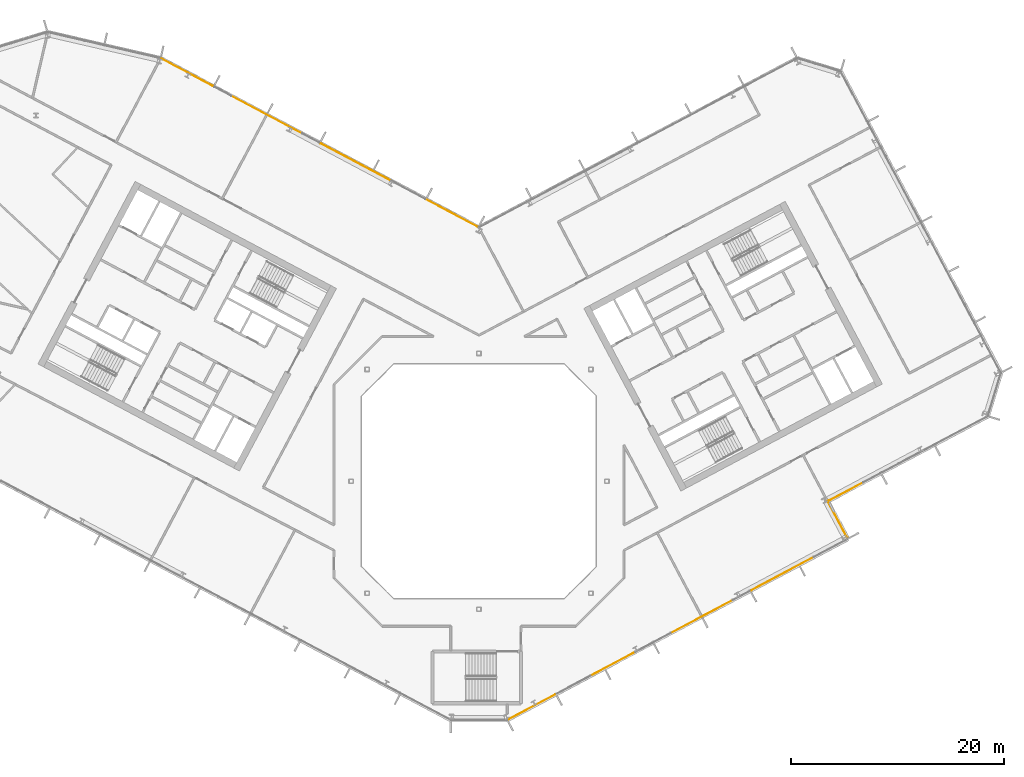
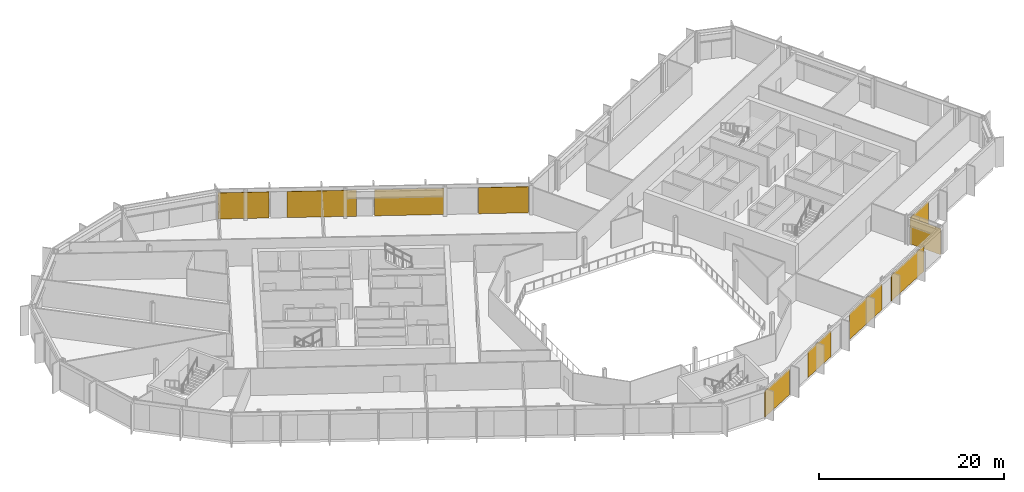
# One storey, part 23 of 26: 10 coverings, 4 elements without a shape of their own.
"""IFC4 building model written with IfcOpenShell, lengths in metres."""

from ifc_helpers import new_model, si_unit, direction, frame, origin, origin_2d, place, context, subcontext, project, spatial, rectangle, extrude, material, layer, layer_set, type_object, element, aggregate, save


model = new_model("IFC4")

# Units and contexts
model_context = context("Model", 3, precision=1e-05, world=origin(), true_north=direction((0.0, 1.0)))
body_context = subcontext(model_context, "Body", "Model", "MODEL_VIEW")
ifc_project = project(units=[si_unit("LENGTHUNIT", "METRE"), si_unit("AREAUNIT", "SQUARE_METRE"), si_unit("VOLUMEUNIT", "CUBIC_METRE"), si_unit("PLANEANGLEUNIT", "RADIAN"), si_unit("MASSUNIT", "GRAM", prefix="KILO")], contexts=[model_context])

# Site, building, storey
site_placement = place(None, origin())
site = spatial("IfcSite", under=ifc_project, at=site_placement, CompositionType="ELEMENT")
building_placement = place(site_placement, origin())
building = spatial("IfcBuilding", under=site, at=building_placement, Name="Cormorant Relay Tower", CompositionType="ELEMENT")
storey_placement = place(building_placement, frame((0.0, 0.0, 220.800048828125)))
storey = spatial("IfcBuildingStorey", under=building, at=storey_placement, Name="L48", CompositionType="ELEMENT", Elevation=220.800048828125)

# Curtain wall, coverings
ifc_material_1 = material(Name="Aluminium 6063-T6 anodised bronze", Category="aluminium")
ifc_layer_1 = layer(ifc_material_1, 0.199951171875)
ifc_layer_set_1 = layer_set([ifc_layer_1], Name="CW1 unitised bronze curtain wall with vertical fins")
curtain_wall_type = type_object("IfcCurtainWallType", Name="CW1 unitised bronze curtain wall with vertical fins", PredefinedType="NOTDEFINED", material=ifc_layer_set_1)
curtain_wall_1_placement = place(storey_placement, origin())
curtain_wall_1 = element("IfcCurtainWall", 1, at=curtain_wall_1_placement, inside=storey, type_object=curtain_wall_type, Name="CW1 curtain wall 2", PredefinedType="NOTDEFINED")
ifc_material_2 = material(Name="Pale bronze anodised aluminium insulated panel", Category="aluminium")
ifc_layer_2 = layer(ifc_material_2, 0.0400390625)
ifc_layer_set_2 = layer_set([ifc_layer_2], Name="CW1 pale bronze insulated panel 40")
covering_type = type_object("IfcCoveringType", Name="CW1 pale bronze insulated panel 40", PredefinedType="CLADDING", material=ifc_layer_set_2)
covering_1_placement = place(storey_placement, frame((4.939208984375, -21.180419921875, 0.0), z_axis=(0.0, 0.0, 1.0), x_axis=(0.882947592859, 0.469471562786, 0.0)))
covering_1 = element("IfcCovering", 2, at=covering_1_placement, type_object=covering_type, Name="CW1 panel S00", PredefinedType="CLADDING", context=body_context, shape_type="SweptSolid", body=[
    extrude(rectangle(XDim=5.0166015625, YDim=0.0400390625, at=origin_2d()), origin(), (0.0, 0.0, 1.0), 3.449951171875),
])
covering_2_placement = place(storey_placement, frame((12.576416015625, -17.11962890625, 0.0), z_axis=(0.0, 0.0, 1.0), x_axis=(0.882947592859, 0.469471562786, 0.0)))
covering_2 = element("IfcCovering", 3, at=covering_2_placement, type_object=covering_type, Name="CW1 panel S02", PredefinedType="CLADDING", context=body_context, shape_type="SweptSolid", body=[
    extrude(rectangle(XDim=4.783203125, YDim=0.0400390625, at=origin_2d()), origin(), (0.0, 0.0, 1.0), 3.449951171875),
])
covering_3_placement = place(storey_placement, frame((20.905517578125, -12.69091796875, 0.0), z_axis=(0.0, 0.0, 1.0), x_axis=(0.882947592859, 0.469471562786, 0.0)))
covering_3 = element("IfcCovering", 4, at=covering_3_placement, type_object=covering_type, Name="CW1 panel S05", PredefinedType="CLADDING", context=body_context, shape_type="SweptSolid", body=[
    extrude(rectangle(XDim=6.5830078125, YDim=0.0400390625, at=origin_2d()), origin(), (0.0, 0.0, 1.0), 3.449951171875),
])
covering_4_placement = place(storey_placement, frame((28.472900390625, -8.667236328125, 0.0), z_axis=(0.0, 0.0, 1.0), x_axis=(0.882947592859, 0.469471562786, 0.0)))
covering_4 = element("IfcCovering", 5, at=covering_4_placement, type_object=covering_type, Name="CW1 panel S07", PredefinedType="CLADDING", context=body_context, shape_type="SweptSolid", body=[
    extrude(rectangle(XDim=6.658203125, YDim=0.0400390625, at=origin_2d()), origin(), (0.0, 0.0, 1.0), 3.449951171875),
])
aggregate(curtain_wall_1, [covering_1, covering_2, covering_3, covering_4])

# Curtain wall, covering
curtain_wall_2_placement = place(storey_placement, origin())
curtain_wall_2 = element("IfcCurtainWall", 6, at=curtain_wall_2_placement, inside=storey, type_object=curtain_wall_type, Name="CW1 curtain wall 3", PredefinedType="NOTDEFINED")
covering_5_placement = place(storey_placement, frame((33.642578125, -3.58837890625, 0.0), z_axis=(0.0, 0.0, 1.0), x_axis=(-0.469471562786, 0.882947592859, 0.0)))
covering_5 = element("IfcCovering", 7, at=covering_5_placement, type_object=covering_type, Name="CW1 panel S00", PredefinedType="CLADDING", context=body_context, shape_type="SweptSolid", body=[
    extrude(rectangle(XDim=3.925048828125, YDim=0.0400390625, at=origin_2d()), origin(), (0.0, 0.0, 1.0), 3.449951171875),
])
aggregate(curtain_wall_2, [covering_5])

curtain_wall_3_placement = place(storey_placement, origin())
curtain_wall_3 = element("IfcCurtainWall", 8, at=curtain_wall_3_placement, inside=storey, type_object=curtain_wall_type, Name="CW1 curtain wall 4", PredefinedType="NOTDEFINED")
covering_6_placement = place(storey_placement, frame((34.453125, -0.957275390625, 0.0), z_axis=(0.0, 0.0, 1.0), x_axis=(0.882947592859, 0.469471562786, 0.0)))
covering_6 = element("IfcCovering", 9, at=covering_6_placement, type_object=covering_type, Name="CW1 panel S00", PredefinedType="CLADDING", context=body_context, shape_type="SweptSolid", body=[
    extrude(rectangle(XDim=3.6416015625, YDim=0.0400390625, at=origin_2d()), origin(), (0.0, 0.0, 1.0), 3.449951171875),
])
aggregate(curtain_wall_3, [covering_6])

# Curtain wall, coverings
curtain_wall_4_placement = place(storey_placement, origin())
curtain_wall_4 = element("IfcCurtainWall", 10, at=curtain_wall_4_placement, inside=storey, type_object=curtain_wall_type, Name="CW1 curtain wall 9", PredefinedType="NOTDEFINED")
covering_7_placement = place(storey_placement, frame((-2.51318359375, 25.142822265625, 0.0), z_axis=(0.0, 0.0, 1.0), x_axis=(-0.882947592859, 0.469471562786, 0.0)))
covering_7 = element("IfcCovering", 11, at=covering_7_placement, type_object=covering_type, Name="CW1 panel S00", PredefinedType="CLADDING", context=body_context, shape_type="SweptSolid", body=[
    extrude(rectangle(XDim=5.4140625, YDim=0.0400390625, at=origin_2d()), origin(), (0.0, 0.0, 1.0), 3.449951171875),
])
covering_8_placement = place(storey_placement, frame((-11.537841796875, 29.94140625, 0.0), z_axis=(0.0, 0.0, 1.0), x_axis=(-0.882947592859, 0.469471562786, 0.0)))
covering_8 = element("IfcCovering", 12, at=covering_8_placement, type_object=covering_type, Name="CW1 panel S02", PredefinedType="CLADDING", context=body_context, shape_type="SweptSolid", body=[
    extrude(rectangle(XDim=7.528076171875, YDim=0.0400390625, at=origin_2d()), origin(), (0.0, 0.0, 1.0), 3.449951171875),
])
covering_9_placement = place(storey_placement, frame((-19.906494140625, 34.39111328125, 0.0), z_axis=(0.0, 0.0, 1.0), x_axis=(-0.882947592859, 0.469471562786, 0.0)))
covering_9 = element("IfcCovering", 13, at=covering_9_placement, type_object=covering_type, Name="CW1 panel S04", PredefinedType="CLADDING", context=body_context, shape_type="SweptSolid", body=[
    extrude(rectangle(XDim=7.528076171875, YDim=0.0400390625, at=origin_2d()), origin(), (0.0, 0.0, 1.0), 3.449951171875),
])
covering_10_placement = place(storey_placement, frame((-27.407958984375, 38.379638671875, 0.0), z_axis=(0.0, 0.0, 1.0), x_axis=(-0.882947592859, 0.469471562786, 0.0)))
covering_10 = element("IfcCovering", 14, at=covering_10_placement, type_object=covering_type, Name="CW1 panel S06", PredefinedType="CLADDING", context=body_context, shape_type="SweptSolid", body=[
    extrude(rectangle(XDim=5.56396484375, YDim=0.0400390625, at=origin_2d()), origin(), (0.0, 0.0, 1.0), 3.449951171875),
])
aggregate(curtain_wall_4, [covering_7, covering_8, covering_9, covering_10])

save(model, "model.ifc")
